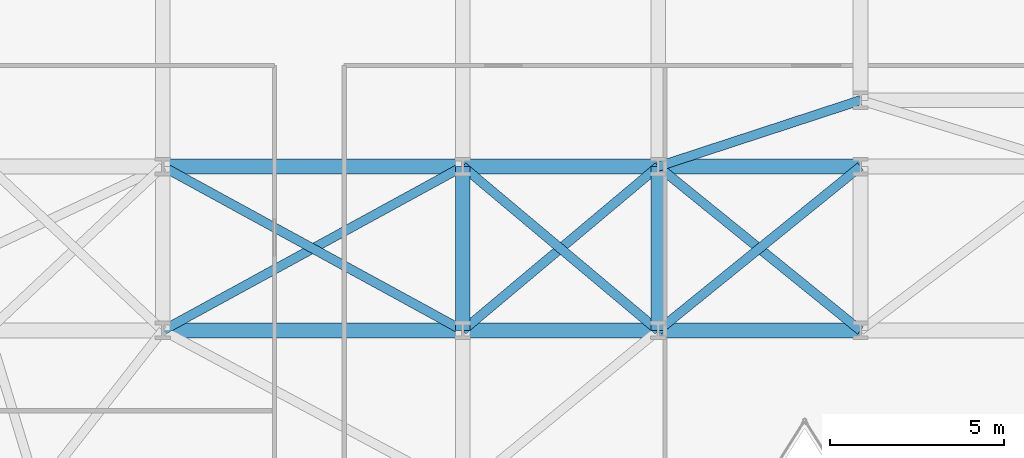
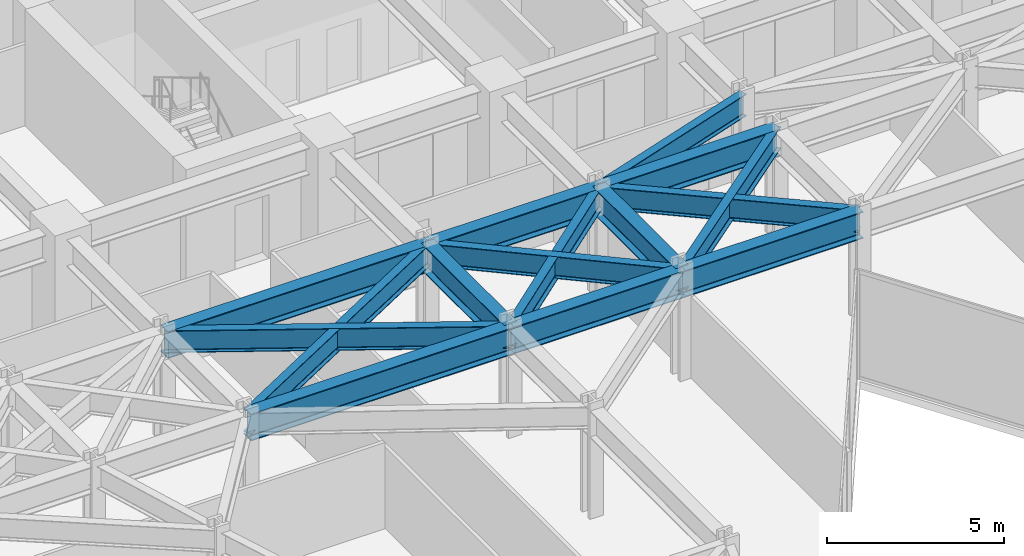
# One storey, part 11 of 24: 15 beams.
"""IFC4 building model written with IfcOpenShell, lengths in metres."""

from ifc_helpers import new_model, si_unit, direction, frame, origin, origin_2d, place, context, subcontext, project, spatial, i_section, extrude, material, material_profile, profile_set, type_object, element, save


model = new_model("IFC4")

# Units and contexts
model_context = context("Model", 3, precision=1e-05, world=origin(), true_north=direction((0.0, 1.0)))
body_context = subcontext(model_context, "Body", "Model", "MODEL_VIEW")
ifc_project = project(units=[si_unit("LENGTHUNIT", "METRE"), si_unit("AREAUNIT", "SQUARE_METRE"), si_unit("VOLUMEUNIT", "CUBIC_METRE"), si_unit("PLANEANGLEUNIT", "RADIAN"), si_unit("MASSUNIT", "GRAM", prefix="KILO")], contexts=[model_context])

# Site, building, storey
site_placement = place(None, origin())
site = spatial("IfcSite", under=ifc_project, at=site_placement, CompositionType="ELEMENT")
building_placement = place(site_placement, origin())
building = spatial("IfcBuilding", under=site, at=building_placement, Name="Kravanh Interchange Tower", CompositionType="ELEMENT")
storey_placement = place(building_placement, frame((0.0, 0.0, 37.5)))
storey = spatial("IfcBuildingStorey", under=building, at=storey_placement, Name="L08", CompositionType="ELEMENT", Elevation=37.5)

# Beams
ifc_material_1 = material(Name="Structural Steel S355", Category="steel")
ifc_material_profile_1 = material_profile(ifc_material_1, i_section(OverallWidth=0.41796875, OverallDepth=0.927001953125, WebThickness=0.019287109375, FlangeThickness=0.031982421875, FilletRadius=0.028076171875, at=origin_2d()), Name="W36X231")
ifc_profile_set_1 = profile_set([ifc_material_profile_1], Name="Structural Steel S355")
beam_type_1 = type_object("IfcBeamType", Name="Floor Beam W36X231 Structural Steel S355", PredefinedType="BEAM", material=ifc_profile_set_1)
beam_1_placement = place(storey_placement, frame((18.60009765625, 26.800048828125, 3.276611328125), z_axis=(1.0, 0.0, 0.0), x_axis=(0.0, 1.0, 0.0)))
element("IfcBeam", 1, at=beam_1_placement, inside=storey, type_object=beam_type_1, Name="L08 Primary Floor Girder 76", PredefinedType="BEAM", context=body_context, shape_type="SweptSolid", body=[
    extrude(i_section(OverallWidth=0.41796875, OverallDepth=0.927001953125, WebThickness=0.019287109375, FlangeThickness=0.031982421875, FilletRadius=0.028076171875, at=origin_2d()), origin(), (0.0, 0.0, 1.0), 8.599853515625),
])
beam_2_placement = place(storey_placement, frame((27.199951171875, 26.800048828125, 3.276611328125), z_axis=(0.0, 1.0, 0.0), x_axis=(-1.0, 0.0, 0.0)))
element("IfcBeam", 2, at=beam_2_placement, inside=storey, type_object=beam_type_1, Name="L08 Primary Floor Girder 78", PredefinedType="BEAM", context=body_context, shape_type="SweptSolid", body=[
    extrude(i_section(OverallWidth=0.41796875, OverallDepth=0.927001953125, WebThickness=0.019287109375, FlangeThickness=0.031982421875, FilletRadius=0.028076171875, at=origin_2d()), origin(), (0.0, 0.0, 1.0), 4.699951171875),
])
beam_3_placement = place(storey_placement, frame((27.199951171875, 26.800048828125, 3.276611328125), z_axis=(1.0, 0.0, 0.0), x_axis=(0.0, 1.0, 0.0)))
element("IfcBeam", 3, at=beam_3_placement, inside=storey, type_object=beam_type_1, Name="L08 Primary Floor Girder 79", PredefinedType="BEAM", context=body_context, shape_type="SweptSolid", body=[
    extrude(i_section(OverallWidth=0.41796875, OverallDepth=0.927001953125, WebThickness=0.019287109375, FlangeThickness=0.031982421875, FilletRadius=0.028076171875, at=origin_2d()), origin(), (0.0, 0.0, 1.0), 5.60009765625),
])
beam_4_placement = place(storey_placement, frame((32.800048828125, 26.800048828125, 3.276611328125), z_axis=(0.0, 1.0, 0.0), x_axis=(-1.0, 0.0, 0.0)))
element("IfcBeam", 4, at=beam_4_placement, inside=storey, type_object=beam_type_1, Name="L08 Primary Floor Girder 82", PredefinedType="BEAM", context=body_context, shape_type="SweptSolid", body=[
    extrude(i_section(OverallWidth=0.41796875, OverallDepth=0.927001953125, WebThickness=0.019287109375, FlangeThickness=0.031982421875, FilletRadius=0.028076171875, at=origin_2d()), origin(), (0.0, 0.0, 1.0), 4.699951171875),
])
beam_5_placement = place(storey_placement, frame((32.800048828125, 26.800048828125, 3.276611328125), z_axis=(1.0, 0.0, 0.0), x_axis=(0.0, 1.0, 0.0)))
element("IfcBeam", 5, at=beam_5_placement, inside=storey, type_object=beam_type_1, Name="L08 Primary Floor Girder 83", PredefinedType="BEAM", context=body_context, shape_type="SweptSolid", body=[
    extrude(i_section(OverallWidth=0.41796875, OverallDepth=0.927001953125, WebThickness=0.019287109375, FlangeThickness=0.031982421875, FilletRadius=0.028076171875, at=origin_2d()), origin(), (0.0, 0.0, 1.0), 5.800048828125),
])
beam_6_placement = place(storey_placement, frame((18.60009765625, 31.5, 3.276611328125), z_axis=(1.0, 0.0, 0.0), x_axis=(0.0, 1.0, 0.0)))
element("IfcBeam", 6, at=beam_6_placement, inside=storey, type_object=beam_type_1, Name="L08 Primary Floor Girder 106", PredefinedType="BEAM", context=body_context, shape_type="SweptSolid", body=[
    extrude(i_section(OverallWidth=0.41796875, OverallDepth=0.927001953125, WebThickness=0.019287109375, FlangeThickness=0.031982421875, FilletRadius=0.028076171875, at=origin_2d()), origin(), (0.0, 0.0, 1.0), 8.599853515625),
])
beam_7_placement = place(storey_placement, frame((27.199951171875, 31.5, 3.276611328125), z_axis=(1.0, 0.0, 0.0), x_axis=(0.0, 1.0, 0.0)))
element("IfcBeam", 7, at=beam_7_placement, inside=storey, type_object=beam_type_1, Name="L08 Primary Floor Girder 107", PredefinedType="BEAM", context=body_context, shape_type="SweptSolid", body=[
    extrude(i_section(OverallWidth=0.41796875, OverallDepth=0.927001953125, WebThickness=0.019287109375, FlangeThickness=0.031982421875, FilletRadius=0.028076171875, at=origin_2d()), origin(), (0.0, 0.0, 1.0), 5.60009765625),
])
beam_8_placement = place(storey_placement, frame((32.800048828125, 31.5, 3.276611328125), z_axis=(1.0, 0.0, 0.0), x_axis=(0.0, 1.0, 0.0)))
element("IfcBeam", 8, at=beam_8_placement, inside=storey, type_object=beam_type_1, Name="L08 Primary Floor Girder 109", PredefinedType="BEAM", context=body_context, shape_type="SweptSolid", body=[
    extrude(i_section(OverallWidth=0.41796875, OverallDepth=0.927001953125, WebThickness=0.019287109375, FlangeThickness=0.031982421875, FilletRadius=0.028076171875, at=origin_2d()), origin(), (0.0, 0.0, 1.0), 5.800048828125),
])
ifc_material_2 = material(Name="Structural Steel S355", Category="steel")
ifc_material_profile_2 = material_profile(ifc_material_2, i_section(OverallWidth=0.26708984375, OverallDepth=0.761962890625, WebThickness=0.014404296875, FlangeThickness=0.021484375, FilletRadius=0.02490234375, at=origin_2d()), Name="W30X116")
ifc_profile_set_2 = profile_set([ifc_material_profile_2], Name="Structural Steel S355")
beam_type_2 = type_object("IfcBeamType", Name="Floor Spandrel W30X116 Structural Steel S355", PredefinedType="SPANDREL", material=ifc_profile_set_2)
beam_9_placement = place(storey_placement, frame((18.60009765625, 26.800048828125, 3.35888671875), z_axis=(0.877503996342, 0.479569323877, 0.0), x_axis=(-0.479569323877, 0.877503996342, 0.0)))
element("IfcBeam", 9, at=beam_9_placement, inside=storey, type_object=beam_type_2, Name="L08 Perimeter Spandrel 77", PredefinedType="SPANDREL", context=body_context, shape_type="SweptSolid", body=[
    extrude(i_section(OverallWidth=0.26708984375, OverallDepth=0.761962890625, WebThickness=0.014404296875, FlangeThickness=0.021484375, FilletRadius=0.02490234375, at=origin_2d()), origin(), (0.0, 0.0, 1.0), 9.80029296875),
])
beam_10_placement = place(storey_placement, frame((27.199951171875, 26.800048828125, 3.35888671875), z_axis=(0.765983062929, 0.642860752657, 0.0), x_axis=(-0.642860752657, 0.765983062929, 0.0)))
element("IfcBeam", 10, at=beam_10_placement, inside=storey, type_object=beam_type_2, Name="L08 Perimeter Spandrel 80", PredefinedType="SPANDREL", context=body_context, shape_type="SweptSolid", body=[
    extrude(i_section(OverallWidth=0.26708984375, OverallDepth=0.761962890625, WebThickness=0.014404296875, FlangeThickness=0.021484375, FilletRadius=0.02490234375, at=origin_2d()), origin(), (0.0, 0.0, 1.0), 7.31103515625),
])
beam_11_placement = place(storey_placement, frame((27.199951171875, 26.800048828125, 3.35888671875), z_axis=(-0.877503996342, 0.479569323877, 0.0), x_axis=(-0.479569323877, -0.877503996342, 0.0)))
element("IfcBeam", 11, at=beam_11_placement, inside=storey, type_object=beam_type_2, Name="L08 Perimeter Spandrel 81", PredefinedType="SPANDREL", context=body_context, shape_type="SweptSolid", body=[
    extrude(i_section(OverallWidth=0.26708984375, OverallDepth=0.761962890625, WebThickness=0.014404296875, FlangeThickness=0.021484375, FilletRadius=0.02490234375, at=origin_2d()), origin(), (0.0, 0.0, 1.0), 9.80029296875),
])
beam_12_placement = place(storey_placement, frame((32.800048828125, 26.800048828125, 3.35888671875), z_axis=(-0.765983062929, 0.642860752657, 0.0), x_axis=(-0.642860752657, -0.765983062929, 0.0)))
element("IfcBeam", 12, at=beam_12_placement, inside=storey, type_object=beam_type_2, Name="L08 Perimeter Spandrel 84", PredefinedType="SPANDREL", context=body_context, shape_type="SweptSolid", body=[
    extrude(i_section(OverallWidth=0.26708984375, OverallDepth=0.761962890625, WebThickness=0.014404296875, FlangeThickness=0.021484375, FilletRadius=0.02490234375, at=origin_2d()), origin(), (0.0, 0.0, 1.0), 7.31103515625),
])
for number, where, z_axis, x_axis, name in (
    (13, (32.800048828125, 26.800048828125, 3.35888671875), (0.776938619557, 0.629576350764, 0.0), (-0.629576350764, 0.776938619557, 0.0), "L08 Perimeter Spandrel 85"),
    (14, (38.60009765625, 26.800048828125, 3.35888671875), (-0.776938619557, 0.629576350764, 0.0), (-0.629576350764, -0.776938619557, 0.0), "L08 Perimeter Spandrel 87"),
):
    element("IfcBeam", number, at=place(storey_placement, frame(where, z_axis=z_axis, x_axis=x_axis)), inside=storey, type_object=beam_type_2, Name=name, PredefinedType="SPANDREL", context=body_context, shape_type="SweptSolid", body=[
        extrude(i_section(OverallWidth=0.26708984375, OverallDepth=0.761962890625, WebThickness=0.014404296875, FlangeThickness=0.021484375, FilletRadius=0.02490234375, at=origin_2d()), origin(), (0.0, 0.0, 1.0), 7.46533203125),
    ])
beam_13_placement = place(storey_placement, frame((32.800048828125, 31.5, 3.35888671875), z_axis=(0.950314536578, 0.31129131303, 0.0), x_axis=(-0.31129131303, 0.950314536578, 0.0)))
element("IfcBeam", 15, at=beam_13_placement, inside=storey, type_object=beam_type_2, Name="L08 Perimeter Spandrel 110", PredefinedType="SPANDREL", context=body_context, shape_type="SweptSolid", body=[
    extrude(i_section(OverallWidth=0.26708984375, OverallDepth=0.761962890625, WebThickness=0.014404296875, FlangeThickness=0.021484375, FilletRadius=0.02490234375, at=origin_2d()), origin(), (0.0, 0.0, 1.0), 6.103271484375),
])

save(model, "model.ifc")
